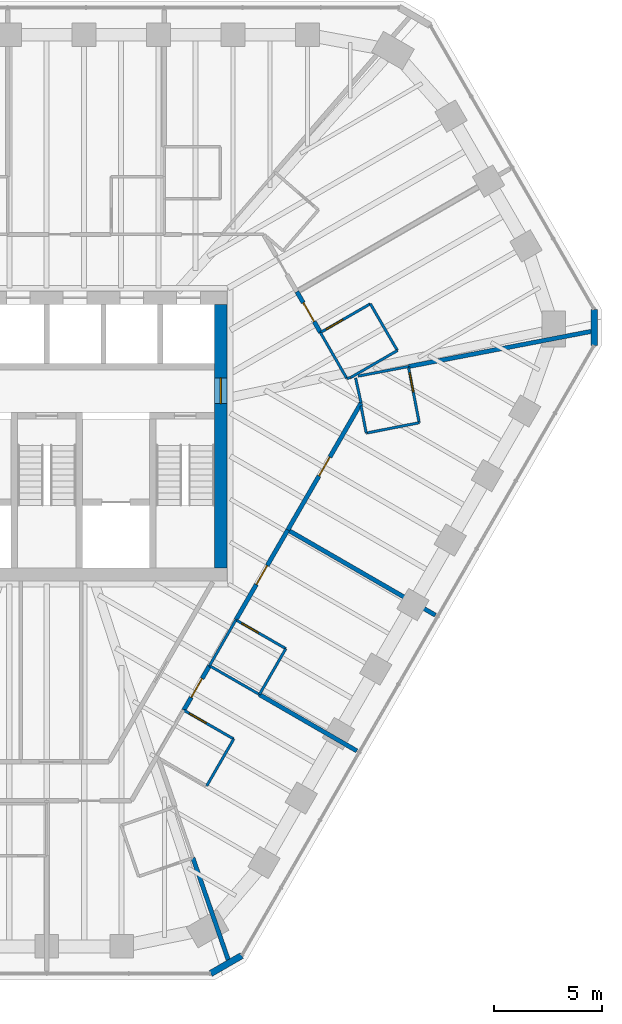
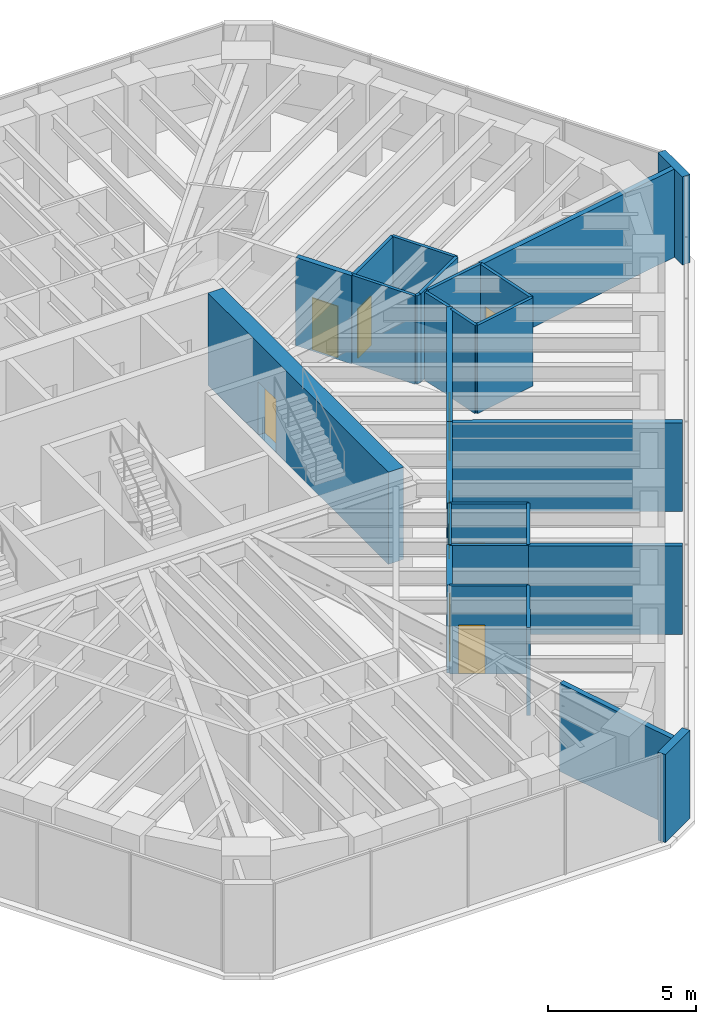
# One storey, part 11 of 14: 27 walls, 9 doors, 9 openings.
"""IFC4 building model written with IfcOpenShell, lengths in metres."""

from ifc_helpers import new_model, si_unit, direction, frame, frame_2d, origin, place, context, subcontext, project, spatial, rectangle, extrude, material, layer, layer_set, type_object, element, fill, save


model = new_model("IFC4")

# Units and contexts
model_context = context("Model", 3, precision=1e-05, world=origin(), true_north=direction((0.0, 1.0)))
body_context = subcontext(model_context, "Body", "Model", "MODEL_VIEW")
ifc_project = project(units=[si_unit("LENGTHUNIT", "METRE"), si_unit("AREAUNIT", "SQUARE_METRE"), si_unit("VOLUMEUNIT", "CUBIC_METRE"), si_unit("PLANEANGLEUNIT", "RADIAN"), si_unit("MASSUNIT", "GRAM", prefix="KILO")], contexts=[model_context])

# Site, building, storey
site_placement = place(None, origin())
site = spatial("IfcSite", under=ifc_project, at=site_placement, CompositionType="ELEMENT")
building_placement = place(site_placement, origin())
building = spatial("IfcBuilding", under=site, at=building_placement, Name="Sandreach Pilgrim Tower", CompositionType="ELEMENT")
storey_placement = place(building_placement, frame((0.0, 0.0, 279.800048828125)))
storey = spatial("IfcBuildingStorey", under=building, at=storey_placement, Name="L70", CompositionType="ELEMENT", Elevation=279.800048828125)

# Walls
ifc_material_1 = material(Name="Moisture-resistant gypsum board on steel studs", Category="steel")
ifc_layer_1 = layer(ifc_material_1, 0.1201171875)
ifc_layer_set_1 = layer_set([ifc_layer_1], Name="Bathroom partition 120")
wall_type_1 = type_object("IfcWallType", Name="Bathroom partition 120", PredefinedType="PARTITIONING", material=ifc_layer_set_1)
wall_1_placement = place(storey_placement, frame((7.39990234375, -16.179931640625, 0.0), z_axis=(0.0, 0.0, 1.0), x_axis=(0.499159685399, 0.866510016372, 0.0)))
element("IfcWall", 1, at=wall_1_placement, inside=storey, type_object=wall_type_1, Name="Bathroom partition L70-086", PredefinedType="PARTITIONING", context=body_context, shape_type="SweptSolid", body=[
    extrude(rectangle(XDim=2.504150390625, YDim=0.1201171875, at=frame_2d((1.251953125, 0.0))), origin(), (0.0, 0.0, 1.0), 3.639892578125),
])
wall_2_placement = place(storey_placement, frame((7.530029296875, -10.6201171875, 0.0), z_axis=(0.0, 0.0, 1.0), x_axis=(0.498748634132, 0.866746675766, 0.0)))
element("IfcWall", 2, at=wall_2_placement, inside=storey, type_object=wall_type_1, Name="Bathroom partition L70-087", PredefinedType="PARTITIONING", context=body_context, shape_type="SweptSolid", body=[
    extrude(rectangle(XDim=2.446044921875, YDim=0.1201171875, at=frame_2d((1.22314453125, 0.0))), origin(), (0.0, 0.0, 1.0), 3.639892578125),
])
wall_3_placement = place(storey_placement, frame((7.530029296875, -10.6201171875, 0.0), z_axis=(0.0, 0.0, 1.0), x_axis=(0.866654860089, -0.498908161372, 0.0)))
element("IfcWall", 3, at=wall_3_placement, inside=storey, type_object=wall_type_1, Name="Bathroom partition L70-088", PredefinedType="PARTITIONING", context=body_context, shape_type="SweptSolid", body=[
    extrude(rectangle(XDim=2.66552734375, YDim=0.1201171875, at=frame_2d((1.332763671875, 0.0))), origin(), (0.0, 0.0, 1.0), 3.639892578125),
])

# Wall, opening, door
wall_4_placement = place(storey_placement, frame((8.64990234375, -14.010009765625, 0.0), z_axis=(0.0, 0.0, 1.0), x_axis=(-0.866592449628, 0.499016559092, 0.0)))
wall_4 = element("IfcWall", 4, at=wall_4_placement, inside=storey, type_object=wall_type_1, Name="Bathroom partition L70-094", PredefinedType="PARTITIONING", context=body_context, shape_type="SweptSolid", body=[
    extrude(rectangle(XDim=2.665283203125, YDim=0.1201171875, at=frame_2d((1.33251953125, 0.0))), origin(), (0.0, 0.0, 1.0), 3.639892578125),
])
opening_1_placement = place(wall_4_placement, frame((1.465576171875, 0.0, 0.0)))
opening_1 = element("IfcOpeningElement", 5, at=opening_1_placement, cuts=wall_4, Name="Opening D09-09B", PredefinedType="OPENING", context=body_context, shape_type="SweptSolid", body=[
    extrude(rectangle(XDim=0.89990234375, YDim=2.030029296875, at=frame_2d((0.449951171875, 1.01513671875))), frame((0.0, 0.06005859375, 0.0), z_axis=(0.0, -1.0, 0.0), x_axis=(1.0, 0.0, 0.0)), (0.0, 0.0, 1.0), 0.1201171875),
])
ifc_material_2 = material(Name="Timber door, steel frame", Category="steel")
door_type_1 = type_object("IfcDoorType", Name="Bathroom door", OperationType="SINGLE_SWING_LEFT", PredefinedType="DOOR", material=ifc_material_2)
door_1_placement = place(opening_1_placement, origin())
door_1 = element("IfcDoor", 6, at=door_1_placement, inside=storey, type_object=door_type_1, Name="Door 7009B", OperationType="SINGLE_SWING_RIGHT", OverallHeight=2.030029296875, OverallWidth=0.89990234375, PredefinedType="DOOR", context=body_context, shape_type="SweptSolid", body=[
    extrude(rectangle(XDim=0.89990234375, YDim=2.030029296875, at=frame_2d((0.449951171875, 1.01513671875))), frame((0.0, 0.02490234375, 0.0), z_axis=(0.0, -1.0, 0.0), x_axis=(1.0, 0.0, 0.0)), (0.0, 0.0, 1.0), 0.050048828125),
])
fill(opening_1, door_1)

# Wall
wall_5_placement = place(storey_placement, frame((9.840087890625, -11.949951171875, 0.0), z_axis=(0.0, 0.0, 1.0), x_axis=(0.498791783817, 0.866721844883, 0.0)))
element("IfcWall", 7, at=wall_5_placement, inside=storey, type_object=wall_type_1, Name="Bathroom partition L70-096", PredefinedType="PARTITIONING", context=body_context, shape_type="SweptSolid", body=[
    extrude(rectangle(XDim=2.44580078125, YDim=0.1201171875, at=frame_2d((1.222900390625, 0.0))), origin(), (0.0, 0.0, 1.0), 3.639892578125),
])

# Wall, opening, door
wall_6_placement = place(storey_placement, frame((11.06005859375, -9.830078125, 0.0), z_axis=(0.0, 0.0, 1.0), x_axis=(-0.866615255992, 0.498976951453, 0.0)))
wall_6 = element("IfcWall", 8, at=wall_6_placement, inside=storey, type_object=wall_type_1, Name="Bathroom partition L70-102", PredefinedType="PARTITIONING", context=body_context, shape_type="SweptSolid", body=[
    extrude(rectangle(XDim=2.66552734375, YDim=0.1201171875, at=frame_2d((1.332763671875, 0.0))), origin(), (0.0, 0.0, 1.0), 3.639892578125),
])
opening_2_placement = place(wall_6_placement, frame((1.465576171875, 0.0, 0.0)))
opening_2 = element("IfcOpeningElement", 9, at=opening_2_placement, cuts=wall_6, Name="Opening D09-08B", PredefinedType="OPENING", context=body_context, shape_type="SweptSolid", body=[
    extrude(rectangle(XDim=0.89990234375, YDim=2.030029296875, at=frame_2d((0.449951171875, 1.01513671875))), frame((0.0, 0.06005859375, 0.0), z_axis=(0.0, -1.0, 0.0), x_axis=(1.0, 0.0, 0.0)), (0.0, 0.0, 1.0), 0.1201171875),
])
door_2_placement = place(opening_2_placement, origin())
door_2 = element("IfcDoor", 10, at=door_2_placement, inside=storey, type_object=door_type_1, Name="Door 7008B", OperationType="SINGLE_SWING_RIGHT", OverallHeight=2.030029296875, OverallWidth=0.89990234375, PredefinedType="DOOR", context=body_context, shape_type="SweptSolid", body=[
    extrude(rectangle(XDim=0.89990234375, YDim=2.030029296875, at=frame_2d((0.449951171875, 1.01513671875))), frame((0.0, 0.02490234375, 0.0), z_axis=(0.0, -1.0, 0.0), x_axis=(1.0, 0.0, 0.0)), (0.0, 0.0, 1.0), 0.050048828125),
])
fill(opening_2, door_2)

# Walls
wall_7_placement = place(storey_placement, frame((12.659912109375, 4.7900390625, 0.0), z_axis=(0.0, 0.0, 1.0), x_axis=(0.498748634132, -0.866746675766, 0.0)))
element("IfcWall", 11, at=wall_7_placement, inside=storey, type_object=wall_type_1, Name="Bathroom partition L70-106", PredefinedType="PARTITIONING", context=body_context, shape_type="SweptSolid", body=[
    extrude(rectangle(XDim=2.446044921875, YDim=0.1201171875, at=frame_2d((1.22314453125, 0.0))), origin(), (0.0, 0.0, 1.0), 3.639892578125),
])
wall_8_placement = place(storey_placement, frame((14.055908203125, 2.705078125, 0.0), z_axis=(0.0, 0.0, 1.0), x_axis=(-0.982045999474, -0.188641604419, 0.0)))
element("IfcWall", 12, at=wall_8_placement, inside=storey, type_object=wall_type_1, Name="Bathroom partition L70-107", PredefinedType="PARTITIONING", context=body_context, shape_type="SweptSolid", body=[
    extrude(rectangle(XDim=0.176025390625, YDim=0.1201171875, at=frame_2d((0.087890625, 0.0))), origin(), (0.0, 0.0, 1.0), 3.639892578125),
])
wall_9_placement = place(storey_placement, frame((14.06005859375, 2.7099609375, 0.0), z_axis=(0.0, 0.0, 1.0), x_axis=(0.865508881864, 0.500893576935, 0.0)))
element("IfcWall", 13, at=wall_9_placement, inside=storey, type_object=wall_type_1, Name="Bathroom partition L70-108", PredefinedType="PARTITIONING", context=body_context, shape_type="SweptSolid", body=[
    extrude(rectangle(XDim=2.49560546875, YDim=0.1201171875, at=frame_2d((1.247802734375, 0.0))), origin(), (0.0, 0.0, 1.0), 3.639892578125),
])
wall_10_placement = place(storey_placement, frame((14.402587890625, 2.775390625, 0.0), z_axis=(0.0, 0.0, 1.0), x_axis=(0.98224012976, 0.187628162834, 0.0)))
element("IfcWall", 14, at=wall_10_placement, inside=storey, type_object=wall_type_1, Name="Bathroom partition L70-110", PredefinedType="PARTITIONING", context=body_context, shape_type="SweptSolid", body=[
    extrude(rectangle(XDim=2.369384765625, YDim=0.1201171875, at=frame_2d((1.1845703125, 0.0))), origin(), (0.0, 0.0, 1.0), 3.639892578125),
])
wall_11_placement = place(storey_placement, frame((14.537109375, 1.401611328125, 0.0), z_axis=(0.0, 0.0, 1.0), x_axis=(0.189058811395, -0.981965766121, 0.0)))
element("IfcWall", 15, at=wall_11_placement, inside=storey, type_object=wall_type_1, Name="Bathroom partition L70-111", PredefinedType="PARTITIONING", context=body_context, shape_type="SweptSolid", body=[
    extrude(rectangle(XDim=1.284912109375, YDim=0.1201171875, at=frame_2d((0.642578125, 0.0))), origin(), (0.0, 0.0, 1.0), 3.639892578125),
])
wall_12_placement = place(storey_placement, frame((14.540283203125, 1.531494140625, 0.0), z_axis=(0.0, 0.0, 1.0), x_axis=(-0.213377769455, 0.976969767957, 0.0)))
element("IfcWall", 16, at=wall_12_placement, inside=storey, type_object=wall_type_1, Name="Bathroom partition L70-112", PredefinedType="PARTITIONING", context=body_context, shape_type="SweptSolid", body=[
    extrude(rectangle(XDim=1.1865234375, YDim=0.1201171875, at=frame_2d((0.59326171875, 0.0))), origin(), (0.0, 0.0, 1.0), 3.639892578125),
])
wall_13_placement = place(storey_placement, frame((14.780029296875, 0.139892578125, 0.0), z_axis=(0.0, 0.0, 1.0), x_axis=(0.981325695508, 0.192353526962, 0.0)))
element("IfcWall", 17, at=wall_13_placement, inside=storey, type_object=wall_type_1, Name="Bathroom partition L70-113", PredefinedType="PARTITIONING", context=body_context, shape_type="SweptSolid", body=[
    extrude(rectangle(XDim=2.49658203125, YDim=0.1201171875, at=frame_2d((1.248291015625, 0.0))), origin(), (0.0, 0.0, 1.0), 3.639892578125),
])

# Wall, opening, door
wall_14_placement = place(storey_placement, frame((14.969970703125, 6.1201171875, 0.0), z_axis=(0.0, 0.0, 1.0), x_axis=(-0.866615255992, -0.498976951453, 0.0)))
wall_14 = element("IfcWall", 18, at=wall_14_placement, inside=storey, type_object=wall_type_1, Name="Bathroom partition L70-114", PredefinedType="PARTITIONING", context=body_context, shape_type="SweptSolid", body=[
    extrude(rectangle(XDim=2.66552734375, YDim=0.1201171875, at=frame_2d((1.332763671875, 0.0))), origin(), (0.0, 0.0, 1.0), 3.639892578125),
])
opening_3_placement = place(wall_14_placement, frame((1.465576171875, 0.0, 0.0)))
opening_3 = element("IfcOpeningElement", 19, at=opening_3_placement, cuts=wall_14, Name="Opening D09-06B", PredefinedType="OPENING", context=body_context, shape_type="SweptSolid", body=[
    extrude(rectangle(XDim=0.89990234375, YDim=2.030029296875, at=frame_2d((0.449951171875, 1.01513671875))), frame((0.0, 0.06005859375, 0.0), z_axis=(0.0, -1.0, 0.0), x_axis=(1.0, 0.0, 0.0)), (0.0, 0.0, 1.0), 0.1201171875),
])
door_3_placement = place(opening_3_placement, origin())
door_3 = element("IfcDoor", 20, at=door_3_placement, inside=storey, type_object=door_type_1, Name="Door 7006B", OperationType="SINGLE_SWING_RIGHT", OverallHeight=2.030029296875, OverallWidth=0.89990234375, PredefinedType="DOOR", context=body_context, shape_type="SweptSolid", body=[
    extrude(rectangle(XDim=0.89990234375, YDim=2.030029296875, at=frame_2d((0.449951171875, 1.01513671875))), frame((0.0, 0.02490234375, 0.0), z_axis=(0.0, -1.0, 0.0), x_axis=(1.0, 0.0, 0.0)), (0.0, 0.0, 1.0), 0.050048828125),
])
fill(opening_3, door_3)

# Wall
wall_15_placement = place(storey_placement, frame((16.219970703125, 3.9599609375, 0.0), z_axis=(0.0, 0.0, 1.0), x_axis=(-0.500893576935, 0.865508881864, 0.0)))
element("IfcWall", 21, at=wall_15_placement, inside=storey, type_object=wall_type_1, Name="Bathroom partition L70-115", PredefinedType="PARTITIONING", context=body_context, shape_type="SweptSolid", body=[
    extrude(rectangle(XDim=2.49560546875, YDim=0.1201171875, at=frame_2d((1.247802734375, 0.0))), origin(), (0.0, 0.0, 1.0), 3.639892578125),
])

# Wall, opening, door
wall_16_placement = place(storey_placement, frame((17.22998046875, 0.6201171875, 0.0), z_axis=(0.0, 0.0, 1.0), x_axis=(-0.18885765444, 0.982004473696, 0.0)))
wall_16 = element("IfcWall", 22, at=wall_16_placement, inside=storey, type_object=wall_type_1, Name="Bathroom partition L70-117", PredefinedType="PARTITIONING", context=body_context, shape_type="SweptSolid", body=[
    extrude(rectangle(XDim=2.6474609375, YDim=0.1201171875, at=frame_2d((1.32373046875, 0.0))), origin(), (0.0, 0.0, 1.0), 3.639892578125),
])
opening_4_placement = place(wall_16_placement, frame((1.447509765625, 0.0, 0.0)))
opening_4 = element("IfcOpeningElement", 23, at=opening_4_placement, cuts=wall_16, Name="Opening D09-07B", PredefinedType="OPENING", context=body_context, shape_type="SweptSolid", body=[
    extrude(rectangle(XDim=0.89990234375, YDim=2.030029296875, at=frame_2d((0.449951171875, 1.01513671875))), frame((0.0, 0.06005859375, 0.0), z_axis=(0.0, -1.0, 0.0), x_axis=(1.0, 0.0, 0.0)), (0.0, 0.0, 1.0), 0.1201171875),
])
door_4_placement = place(opening_4_placement, origin())
door_4 = element("IfcDoor", 24, at=door_4_placement, inside=storey, type_object=door_type_1, Name="Door 7007B", OperationType="SINGLE_SWING_RIGHT", OverallHeight=2.030029296875, OverallWidth=0.89990234375, PredefinedType="DOOR", context=body_context, shape_type="SweptSolid", body=[
    extrude(rectangle(XDim=0.89990234375, YDim=2.030029296875, at=frame_2d((0.449951171875, 1.01513671875))), frame((0.0, 0.02490234375, 0.0), z_axis=(0.0, -1.0, 0.0), x_axis=(1.0, 0.0, 0.0)), (0.0, 0.0, 1.0), 0.050048828125),
])
fill(opening_4, door_4)

ifc_material_3 = material(Name="Concrete 10000 psi", Category="concrete")
ifc_layer_2 = layer(ifc_material_3, 0.60009765625)
ifc_layer_set_2 = layer_set([ifc_layer_2], Name="Core wall 600")
wall_type_2 = type_object("IfcWallType", Name="Core wall 600", PredefinedType="SHEAR", material=ifc_layer_set_2)
wall_17_placement = place(storey_placement, frame((8.050048828125, -6.10009765625, 0.0), z_axis=(0.0, 0.0, 1.0), x_axis=(0.0, 1.0, 0.0)))
wall_17 = element("IfcWall", 25, at=wall_17_placement, inside=storey, type_object=wall_type_2, Name="Core wall E L70", PredefinedType="SHEAR", context=body_context, shape_type="SweptSolid", body=[
    extrude(rectangle(XDim=12.2001953125, YDim=0.60009765625, at=frame_2d((6.10009765625, 0.0))), origin(), (0.0, 0.0, 1.0), 3.800048828125),
])
opening_5_placement = place(wall_17_placement, frame((7.60009765625, 0.0, 0.0)))
opening_5 = element("IfcOpeningElement", 26, at=opening_5_placement, cuts=wall_17, Name="Opening D12F-E", PredefinedType="OPENING", context=body_context, shape_type="SweptSolid", body=[
    extrude(rectangle(XDim=1.199951171875, YDim=2.199951171875, at=frame_2d((0.60009765625, 1.10009765625))), frame((0.0, 0.300048828125, 0.0), z_axis=(0.0, -1.0, 0.0), x_axis=(1.0, 0.0, 0.0)), (0.0, 0.0, 1.0), 0.60009765625),
])
ifc_material_4 = material(Name="Steel door and frame", Category="steel")
door_type_2 = type_object("IfcDoorType", Name="Fire lobby door", OperationType="SINGLE_SWING_LEFT", PredefinedType="DOOR", material=ifc_material_4)
door_5_placement = place(opening_5_placement, origin())
door_5 = element("IfcDoor", 27, at=door_5_placement, inside=storey, type_object=door_type_2, Name="Fire service lobby door E L70", OperationType="SINGLE_SWING_RIGHT", OverallHeight=2.199951171875, OverallWidth=1.199951171875, PredefinedType="DOOR", context=body_context, shape_type="SweptSolid", body=[
    extrude(rectangle(XDim=1.199951171875, YDim=2.199951171875, at=frame_2d((0.60009765625, 1.10009765625))), frame((0.0, 0.02490234375, 0.0), z_axis=(0.0, -1.0, 0.0), x_axis=(1.0, 0.0, 0.0)), (0.0, 0.0, 1.0), 0.050048828125),
])
fill(opening_5, door_5)

ifc_material_5 = material(Name="Gypsum board on steel studs, two layers each side", Category="steel")
ifc_layer_3 = layer(ifc_material_5, 0.199951171875)
ifc_layer_set_3 = layer_set([ifc_layer_3], Name="Corridor wall 200")
wall_type_3 = type_object("IfcWallType", Name="Corridor wall 200", PredefinedType="PARTITIONING", material=ifc_layer_set_3)
wall_18_placement = place(storey_placement, frame((6.340087890625, -12.679931640625, 0.0), z_axis=(0.0, 0.0, 1.0), x_axis=(0.500222880675, 0.865896685321, 0.0)))
wall_18 = element("IfcWall", 28, at=wall_18_placement, inside=storey, type_object=wall_type_3, Name="Corridor wall L70-084", PredefinedType="PARTITIONING", context=body_context, shape_type="SweptSolid", body=[
    extrude(rectangle(XDim=2.37890625, YDim=0.199951171875, at=frame_2d((1.189453125, 0.0))), origin(), (0.0, 0.0, 1.0), 3.639892578125),
])
opening_6_placement = place(wall_18_placement, frame((0.689453125, 0.0, 0.0)))
opening_6 = element("IfcOpeningElement", 29, at=opening_6_placement, cuts=wall_18, Name="Opening D10-09", PredefinedType="OPENING", context=body_context, shape_type="SweptSolid", body=[
    extrude(rectangle(XDim=1.0, YDim=2.1298828125, at=frame_2d((0.5, 1.06494140625))), frame((0.0, 0.10009765625, 0.0), z_axis=(0.0, -1.0, 0.0), x_axis=(1.0, 0.0, 0.0)), (0.0, 0.0, 1.0), 0.199951171875),
])
ifc_material_6 = material(Name="Steel door and frame", Category="steel")
door_type_3 = type_object("IfcDoorType", Name="Guest room entry door", OperationType="SINGLE_SWING_LEFT", PredefinedType="DOOR", material=ifc_material_6)
door_6_placement = place(opening_6_placement, origin())
door_6 = element("IfcDoor", 30, at=door_6_placement, inside=storey, type_object=door_type_3, Name="Door 7009", OperationType="SINGLE_SWING_LEFT", OverallHeight=2.1298828125, OverallWidth=1.0, PredefinedType="DOOR", context=body_context, shape_type="SweptSolid", body=[
    extrude(rectangle(XDim=1.0, YDim=2.1298828125, at=frame_2d((0.5, 1.06494140625))), frame((0.0, 0.02490234375, 0.0), z_axis=(0.0, -1.0, 0.0), x_axis=(1.0, 0.0, 0.0)), (0.0, 0.0, 1.0), 0.050048828125),
])
fill(opening_6, door_6)

wall_19_placement = place(storey_placement, frame((8.7490234375, -8.49951171875, 0.0), z_axis=(0.0, 0.0, 1.0), x_axis=(0.499911676512, 0.866076391369, 0.0)))
wall_19 = element("IfcWall", 31, at=wall_19_placement, inside=storey, type_object=wall_type_3, Name="Corridor wall L70-095", PredefinedType="PARTITIONING", context=body_context, shape_type="SweptSolid", body=[
    extrude(rectangle(XDim=4.802490234375, YDim=0.199951171875, at=frame_2d((2.4013671875, 0.0))), origin(), (0.0, 0.0, 1.0), 3.639892578125),
])
opening_7_placement = place(wall_19_placement, frame((1.9013671875, 0.0, 0.0)))
opening_7 = element("IfcOpeningElement", 32, at=opening_7_placement, cuts=wall_19, Name="Opening D10-08", PredefinedType="OPENING", context=body_context, shape_type="SweptSolid", body=[
    extrude(rectangle(XDim=1.0, YDim=2.1298828125, at=frame_2d((0.5, 1.06494140625))), frame((0.0, 0.10009765625, 0.0), z_axis=(0.0, -1.0, 0.0), x_axis=(1.0, 0.0, 0.0)), (0.0, 0.0, 1.0), 0.199951171875),
])
door_7_placement = place(opening_7_placement, origin())
door_7 = element("IfcDoor", 33, at=door_7_placement, inside=storey, type_object=door_type_3, Name="Door 7008", OperationType="SINGLE_SWING_LEFT", OverallHeight=2.1298828125, OverallWidth=1.0, PredefinedType="DOOR", context=body_context, shape_type="SweptSolid", body=[
    extrude(rectangle(XDim=1.0, YDim=2.1298828125, at=frame_2d((0.5, 1.06494140625))), frame((0.0, 0.02490234375, 0.0), z_axis=(0.0, -1.0, 0.0), x_axis=(1.0, 0.0, 0.0)), (0.0, 0.0, 1.0), 0.050048828125),
])
fill(opening_7, door_7)

wall_20_placement = place(storey_placement, frame((11.14990234375, -4.340087890625, 0.0), z_axis=(0.0, 0.0, 1.0), x_axis=(0.500113178326, 0.865960050386, 0.0)))
wall_20 = element("IfcWall", 34, at=wall_20_placement, inside=storey, type_object=wall_type_3, Name="Corridor wall L70-103", PredefinedType="PARTITIONING", context=body_context, shape_type="SweptSolid", body=[
    extrude(rectangle(XDim=6.77880859375, YDim=0.199951171875, at=frame_2d((3.389404296875, 0.0))), origin(), (0.0, 0.0, 1.0), 3.639892578125),
])
opening_8_placement = place(wall_20_placement, frame((2.889404296875, 0.0, 0.0)))
opening_8 = element("IfcOpeningElement", 35, at=opening_8_placement, cuts=wall_20, Name="Opening D10-07", PredefinedType="OPENING", context=body_context, shape_type="SweptSolid", body=[
    extrude(rectangle(XDim=1.0, YDim=2.1298828125, at=frame_2d((0.5, 1.06494140625))), frame((0.0, 0.10009765625, 0.0), z_axis=(0.0, -1.0, 0.0), x_axis=(1.0, 0.0, 0.0)), (0.0, 0.0, 1.0), 0.199951171875),
])
door_8_placement = place(opening_8_placement, origin())
door_8 = element("IfcDoor", 36, at=door_8_placement, inside=storey, type_object=door_type_3, Name="Door 7007", OperationType="SINGLE_SWING_LEFT", OverallHeight=2.1298828125, OverallWidth=1.0, PredefinedType="DOOR", context=body_context, shape_type="SweptSolid", body=[
    extrude(rectangle(XDim=1.0, YDim=2.1298828125, at=frame_2d((0.5, 1.06494140625))), frame((0.0, 0.02490234375, 0.0), z_axis=(0.0, -1.0, 0.0), x_axis=(1.0, 0.0, 0.0)), (0.0, 0.0, 1.0), 0.050048828125),
])
fill(opening_8, door_8)

wall_21_placement = place(storey_placement, frame((11.57177734375, 6.68115234375, 0.0), z_axis=(0.0, 0.0, 1.0), x_axis=(0.500074377092, -0.865982457891, 0.0)))
wall_21 = element("IfcWall", 37, at=wall_21_placement, inside=storey, type_object=wall_type_3, Name="Corridor wall L70-104", PredefinedType="PARTITIONING", context=body_context, shape_type="SweptSolid", body=[
    extrude(rectangle(XDim=2.181884765625, YDim=0.199951171875, at=frame_2d((1.0908203125, 0.0))), origin(), (0.0, 0.0, 1.0), 3.639892578125),
])
opening_9_placement = place(wall_21_placement, frame((0.5908203125, 0.0, 0.0)))
opening_9 = element("IfcOpeningElement", 38, at=opening_9_placement, cuts=wall_21, Name="Opening D10-06", PredefinedType="OPENING", context=body_context, shape_type="SweptSolid", body=[
    extrude(rectangle(XDim=1.0, YDim=2.1298828125, at=frame_2d((0.5, 1.06494140625))), frame((0.0, 0.10009765625, 0.0), z_axis=(0.0, -1.0, 0.0), x_axis=(1.0, 0.0, 0.0)), (0.0, 0.0, 1.0), 0.199951171875),
])
door_9_placement = place(opening_9_placement, origin())
door_9 = element("IfcDoor", 39, at=door_9_placement, inside=storey, type_object=door_type_3, Name="Door 7006", OperationType="SINGLE_SWING_LEFT", OverallHeight=2.1298828125, OverallWidth=1.0, PredefinedType="DOOR", context=body_context, shape_type="SweptSolid", body=[
    extrude(rectangle(XDim=1.0, YDim=2.1298828125, at=frame_2d((0.5, 1.06494140625))), frame((0.0, 0.02490234375, 0.0), z_axis=(0.0, -1.0, 0.0), x_axis=(1.0, 0.0, 0.0)), (0.0, 0.0, 1.0), 0.050048828125),
])
fill(opening_9, door_9)

# Walls
ifc_material_7 = material(Name="Double steel stud acoustic wall, gypsum board", Category="steel")
ifc_layer_4 = layer(ifc_material_7, 0.199951171875)
ifc_layer_set_4 = layer_set([ifc_layer_4], Name="Party wall 200")
wall_type_4 = type_object("IfcWallType", Name="Party wall 200", PredefinedType="PARTITIONING", material=ifc_layer_set_4)
wall_22_placement = place(storey_placement, frame((6.760009765625, -19.510009765625, 0.0), z_axis=(0.0, 0.0, 1.0), x_axis=(0.327780464108, -0.944753918938, 0.0)))
element("IfcWall", 40, at=wall_22_placement, inside=storey, type_object=wall_type_4, Name="Party wall L70-085", PredefinedType="PARTITIONING", context=body_context, shape_type="SweptSolid", body=[
    extrude(rectangle(XDim=5.156494140625, YDim=0.199951171875, at=frame_2d((2.578125, 0.0))), origin(), (0.0, 0.0, 1.0), 3.639892578125),
])
wall_23_placement = place(storey_placement, frame((14.34619140625, -14.56005859375, 0.0), z_axis=(0.0, 0.0, 1.0), x_axis=(-0.86575990496, 0.500459575754, 0.0)))
element("IfcWall", 41, at=wall_23_placement, inside=storey, type_object=wall_type_4, Name="Party wall L70-109", PredefinedType="PARTITIONING", context=body_context, shape_type="SweptSolid", body=[
    extrude(rectangle(XDim=5.20751953125, YDim=0.199951171875, at=frame_2d((2.603759765625, 0.0))), origin(), (0.0, 0.0, 1.0), 3.639892578125),
])
wall_24_placement = place(storey_placement, frame((16.72998046875, 3.219970703125, 0.0), z_axis=(0.0, 0.0, 1.0), x_axis=(0.982039995549, 0.188672857462, 0.0)))
element("IfcWall", 42, at=wall_24_placement, inside=storey, type_object=wall_type_4, Name="Party wall L70-116", PredefinedType="PARTITIONING", context=body_context, shape_type="SweptSolid", body=[
    extrude(rectangle(XDim=8.76806640625, YDim=0.199951171875, at=frame_2d((4.384033203125, 0.0))), origin(), (0.0, 0.0, 1.0), 3.639892578125),
])
wall_25_placement = place(storey_placement, frame((17.97607421875, -8.280029296875, 0.0), z_axis=(0.0, 0.0, 1.0), x_axis=(-0.866080683341, 0.499904240773, 0.0)))
element("IfcWall", 43, at=wall_25_placement, inside=storey, type_object=wall_type_4, Name="Party wall L70-118", PredefinedType="PARTITIONING", context=body_context, shape_type="SweptSolid", body=[
    extrude(rectangle(XDim=7.86669921875, YDim=0.199951171875, at=frame_2d((3.933349609375, 0.0))), origin(), (0.0, 0.0, 1.0), 3.639892578125),
])
ifc_material_8 = material(Name="Terracotta rainscreen on concrete", Category="masonry")
ifc_layer_5 = layer(ifc_material_8, 0.300048828125)
ifc_layer_set_5 = layer_set([ifc_layer_5], Name="Terracotta chamfer pier")
wall_type_5 = type_object("IfcWallType", Name="Terracotta chamfer pier", PredefinedType="SOLIDWALL", material=ifc_layer_set_5)
for number, where, z_axis, x_axis, name in (
    (44, (25.3193359375, 5.861572265625, 0.0), (0.0, 0.0, 1.0), (0.0, -1.0, 0.0), "Chamfer pier L70 NE"),
    (45, (9.02099609375, -24.028076171875, 0.0), (0.0, 0.0, 1.0), (-0.865989634427, -0.500061949227, 0.0), "Chamfer pier L70 SE"),
):
    element("IfcWall", number, at=place(storey_placement, frame(where, z_axis=z_axis, x_axis=x_axis)), inside=storey, type_object=wall_type_5, Name=name, PredefinedType="SOLIDWALL", context=body_context, shape_type="SweptSolid", body=[
        extrude(rectangle(XDim=1.659912109375, YDim=0.300048828125, at=frame_2d((0.830078125, 0.0))), origin(), (0.0, 0.0, 1.0), 3.639892578125),
    ])

save(model, "model.ifc")
